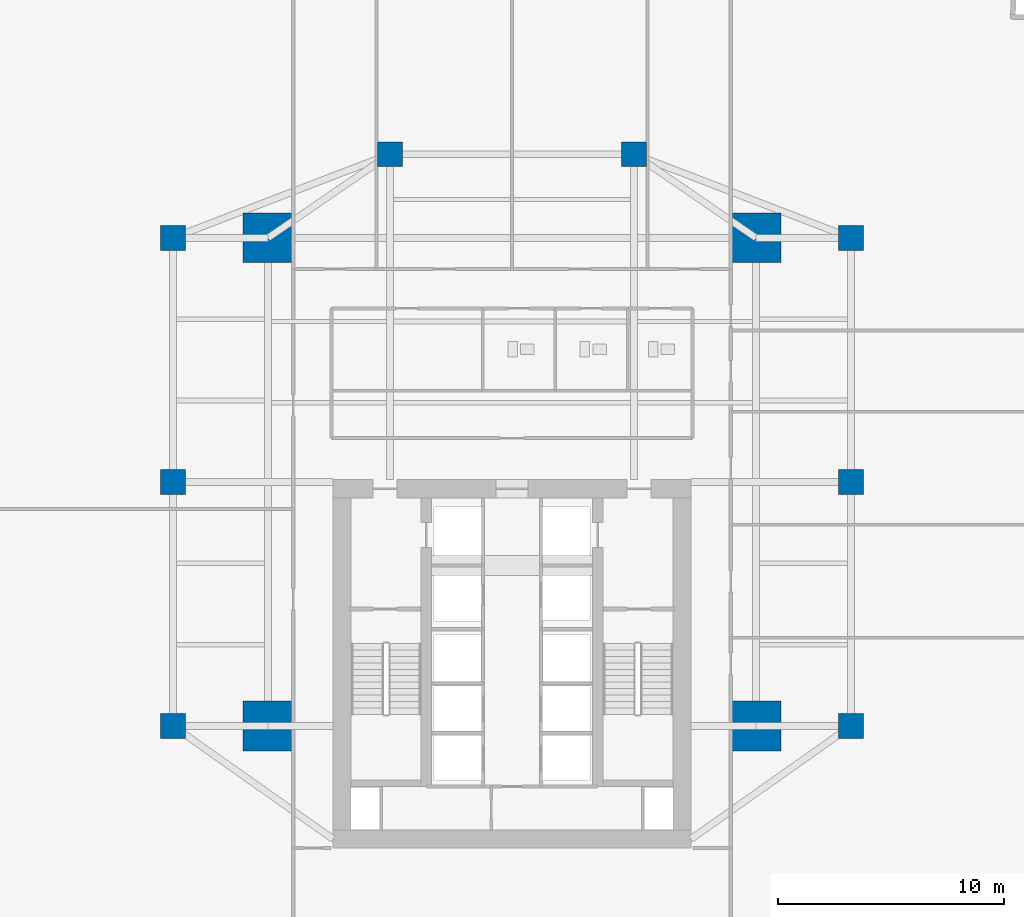
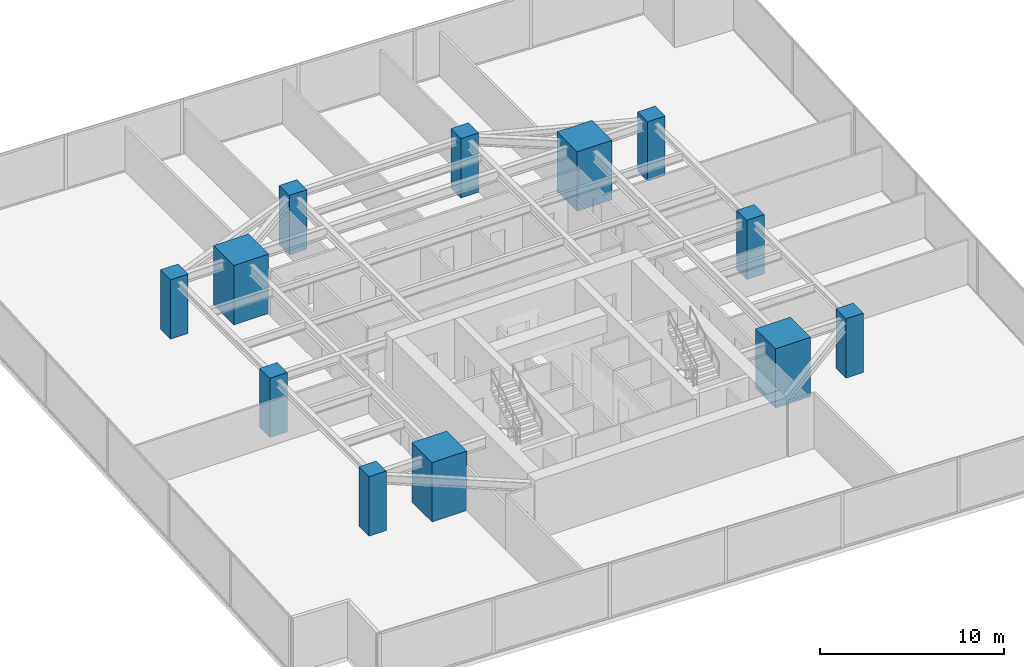
# One storey, part 1 of 30: 12 columns.
"""IFC4 building model written with IfcOpenShell, lengths in metres."""

from ifc_helpers import new_model, si_unit, direction, frame, origin, origin_2d, place, context, subcontext, project, spatial, rectangle, extrude, source, transform, mapped, material, material_profile, profile_set, type_object, type_shapes, element, save


model = new_model("IFC4")

# Units and contexts
model_context = context("Model", 3, precision=1e-05, world=origin(), true_north=direction((0.0, 1.0)))
body_context = subcontext(model_context, "Body", "Model", "MODEL_VIEW")
ifc_project = project(units=[si_unit("LENGTHUNIT", "METRE"), si_unit("AREAUNIT", "SQUARE_METRE"), si_unit("VOLUMEUNIT", "CUBIC_METRE"), si_unit("PLANEANGLEUNIT", "RADIAN"), si_unit("MASSUNIT", "GRAM", prefix="KILO")], contexts=[model_context])

# Site, building, storey
site_placement = place(None, origin())
site = spatial("IfcSite", under=ifc_project, at=site_placement, CompositionType="ELEMENT")
building_placement = place(site_placement, origin())
building = spatial("IfcBuilding", under=site, at=building_placement, Name="Krantzveldt Concourse Tower", CompositionType="ELEMENT")
storey_placement = place(building_placement, frame((0.0, 0.0, 36.85009765625)))
storey = spatial("IfcBuildingStorey", under=building, at=storey_placement, Name="L08", CompositionType="ELEMENT", Elevation=36.85009765625)

# Columns
ifc_material = material(Name="Concrete C60/75", Category="concrete")
ifc_material_profile_1 = material_profile(ifc_material, rectangle(XDim=2.199951171875, YDim=2.199951171875, at=origin_2d()), Name="Concrete C60/75", Category="concrete")
ifc_profile_set_1 = profile_set([ifc_material_profile_1], Name="Concrete C60/75 - RC 2200x2200")
column_type_1 = type_object("IfcColumnType", Name="COL-MC-2200", PredefinedType="USERDEFINED", material=ifc_profile_set_1)
shared_shape_1 = source(origin(), body_context, "Body", "SweptSolid", [
    extrude(rectangle(XDim=2.199951171875, YDim=2.199951171875, at=origin_2d()), origin(), (0.0, 0.0, 1.0), 3.949951171875),
])
type_shapes(column_type_1, [shared_shape_1])
for number, where, z_axis, x_axis, name in (
    (1, (25.199951171875, 15.89990234375, 0.0), (0.0, 0.0, 1.0), (1.0, 0.0, 0.0), "MC-SW-L08"),
    (2, (46.800048828125, 15.89990234375, 0.0), (0.0, 0.0, 1.0), (1.0, 0.0, 0.0), "MC-SE-L08"),
    (3, (46.800048828125, 37.5, 0.0), (0.0, 0.0, 1.0), (1.0, 0.0, 0.0), "MC-NE-L08"),
    (4, (25.199951171875, 37.5, 0.0), (0.0, 0.0, 1.0), (1.0, 0.0, 0.0), "MC-NW-L08"),
):
    element("IfcColumn", number, at=place(storey_placement, frame(where, z_axis=z_axis, x_axis=x_axis)), inside=storey, type_object=column_type_1, Name=name, ObjectType="MEGA COLUMN", PredefinedType="USERDEFINED", context=body_context, shape_type="MappedRepresentation", body=[
        mapped(shared_shape_1, transform((0.0, 0.0, 0.0), x_axis=(1.0, 0.0, 0.0), y_axis=(0.0, 1.0, 0.0), z_axis=(0.0, 0.0, 1.0), scale=1.0)),
    ])
ifc_material_profile_2 = material_profile(ifc_material, rectangle(XDim=1.10009765625, YDim=1.10009765625, at=origin_2d()), Name="Concrete C60/75", Category="concrete")
ifc_profile_set_2 = profile_set([ifc_material_profile_2], Name="Concrete C60/75 - RC 1100x1100")
column_type_2 = type_object("IfcColumnType", Name="COL-C-Z1", PredefinedType="COLUMN", material=ifc_profile_set_2)
shared_shape_2 = source(origin(), body_context, "Body", "SweptSolid", [
    extrude(rectangle(XDim=1.10009765625, YDim=1.10009765625, at=origin_2d()), origin(), (0.0, 0.0, 1.0), 3.949951171875),
])
type_shapes(column_type_2, [shared_shape_2])
for number, where, z_axis, x_axis, name in (
    (5, (21.0, 15.89990234375, 0.0), (0.0, 0.0, 1.0), (1.0, 0.0, 0.0), "PC-R01-L08"),
    (6, (21.0, 26.699951171875, 0.0), (0.0, 0.0, 1.0), (1.0, 0.0, 0.0), "PC-R02-L08"),
    (7, (21.0, 37.5, 0.0), (0.0, 0.0, 1.0), (1.0, 0.0, 0.0), "PC-R03-L08"),
    (8, (30.60009765625, 41.199951171875, 0.0), (0.0, 0.0, 1.0), (1.0, 0.0, 0.0), "PC-R04-L08"),
    (9, (41.39990234375, 41.199951171875, 0.0), (0.0, 0.0, 1.0), (1.0, 0.0, 0.0), "PC-R05-L08"),
    (10, (51.0, 37.5, 0.0), (0.0, 0.0, 1.0), (1.0, 0.0, 0.0), "PC-R06-L08"),
    (11, (51.0, 26.699951171875, 0.0), (0.0, 0.0, 1.0), (1.0, 0.0, 0.0), "PC-R07-L08"),
    (12, (51.0, 15.89990234375, 0.0), (0.0, 0.0, 1.0), (1.0, 0.0, 0.0), "PC-R08-L08"),
):
    element("IfcColumn", number, at=place(storey_placement, frame(where, z_axis=z_axis, x_axis=x_axis)), inside=storey, type_object=column_type_2, Name=name, PredefinedType="COLUMN", context=body_context, shape_type="MappedRepresentation", body=[
        mapped(shared_shape_2, transform((0.0, 0.0, 0.0), x_axis=(1.0, 0.0, 0.0), y_axis=(0.0, 1.0, 0.0), z_axis=(0.0, 0.0, 1.0), scale=1.0)),
    ])

save(model, "model.ifc")
